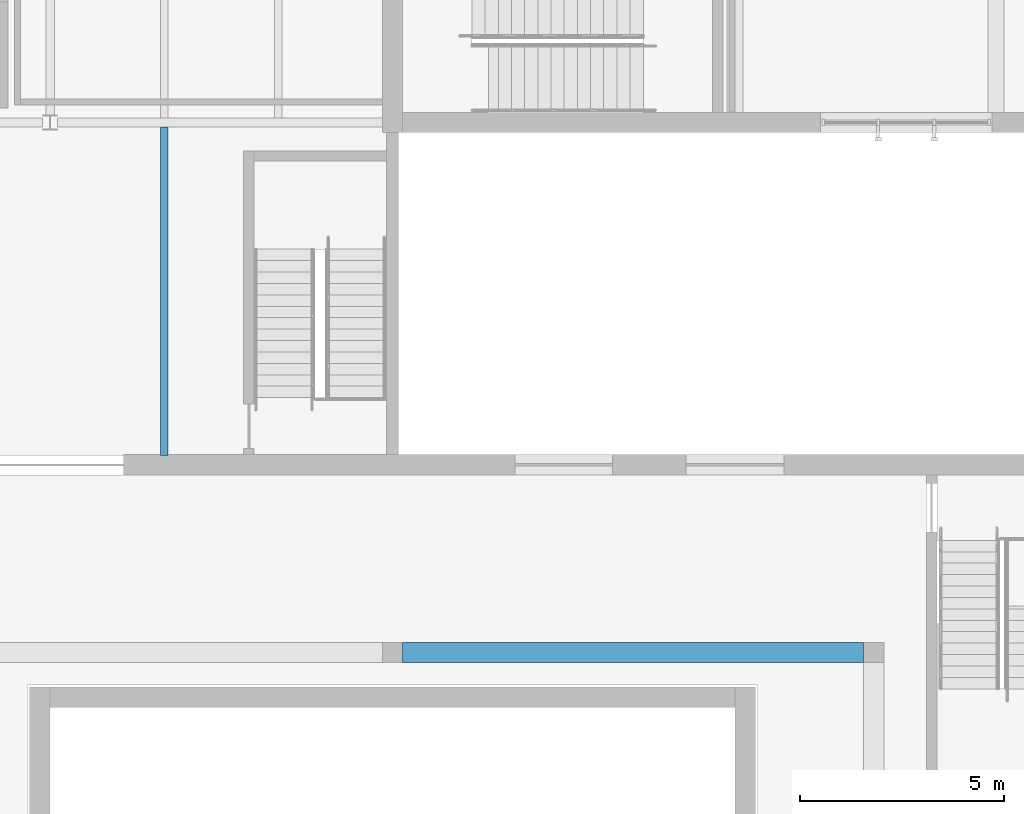
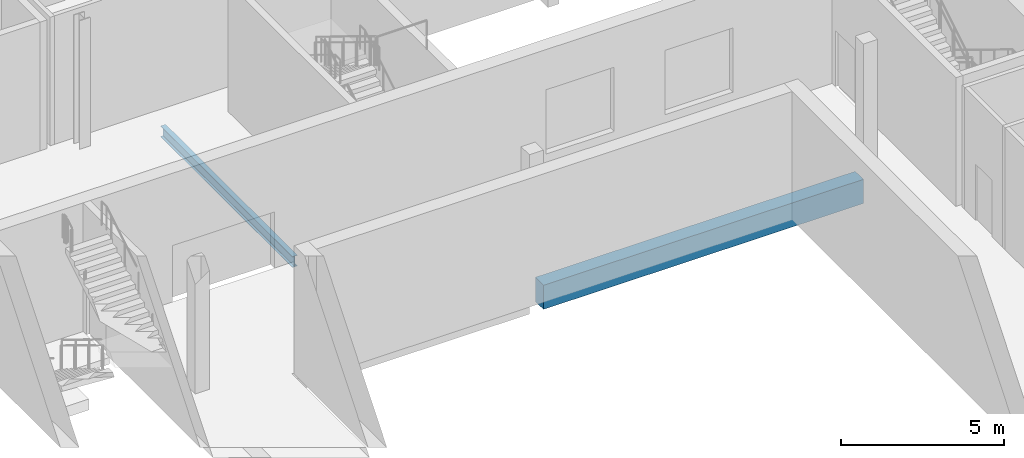
# One storey, part 18 of 127: 2 beams.
"""IFC4 building model written with IfcOpenShell, lengths in metres."""

from ifc_helpers import new_model, si_unit, direction, frame, origin, origin_2d, place, context, subcontext, project, spatial, rectangle, i_section, extrude, material, material_profile, profile_set, type_object, element, save


model = new_model("IFC4")

# Units and contexts
model_context = context("Model", 3, precision=1e-05, world=origin(), true_north=direction((0.0, 1.0)))
body_context = subcontext(model_context, "Body", "Model", "MODEL_VIEW")
ifc_project = project(units=[si_unit("LENGTHUNIT", "METRE"), si_unit("AREAUNIT", "SQUARE_METRE"), si_unit("VOLUMEUNIT", "CUBIC_METRE"), si_unit("PLANEANGLEUNIT", "RADIAN"), si_unit("MASSUNIT", "GRAM", prefix="KILO")], contexts=[model_context])

# Site, building, storey
site_placement = place(None, origin())
site = spatial("IfcSite", under=ifc_project, at=site_placement, CompositionType="ELEMENT")
building_placement = place(site_placement, origin())
building = spatial("IfcBuilding", under=site, at=building_placement, Name="Ljudholm Concert House", CompositionType="ELEMENT")
storey_placement = place(building_placement, frame((0.0, 0.0, 5.39990234375)))
storey = spatial("IfcBuildingStorey", under=building, at=storey_placement, Name="L01", CompositionType="ELEMENT", Elevation=5.39990234375)

# Beams
ifc_material_1 = material(Name="Concrete 6,500 psi", Category="concrete")
ifc_material_profile_1 = material_profile(ifc_material_1, rectangle(XDim=0.5, YDim=0.89990234375, at=origin_2d()), Name="RC BEAM 500x900")
ifc_profile_set_1 = profile_set([ifc_material_profile_1], Name="Concrete 6,500 psi")
beam_type_1 = type_object("IfcBeamType", Name="RC BEAM 500x900", PredefinedType="BEAM", material=ifc_profile_set_1)
beam_1_placement = place(storey_placement, frame((29.449951171875, 41.39990234375, -0.699951171875), z_axis=(1.0, 0.0, 0.0), x_axis=(0.0, 1.0, 0.0)))
element("IfcBeam", 1, at=beam_1_placement, inside=storey, type_object=beam_type_1, Name="Ring beam", PredefinedType="BEAM", context=body_context, shape_type="SweptSolid", body=[
    extrude(rectangle(XDim=0.5, YDim=0.89990234375, at=origin_2d()), origin(), (0.0, 0.0, 1.0), 11.300048828125),
])
ifc_material_2 = material(Name="Steel ASTM A992", Category="steel")
ifc_material_profile_2 = material_profile(ifc_material_2, i_section(OverallWidth=0.177734375, OverallDepth=0.406494140625, WebThickness=0.0078125, FlangeThickness=0.012939453125, FilletRadius=0.01025390625, at=origin_2d()), Name="W16X40")
ifc_profile_set_2 = profile_set([ifc_material_profile_2], Name="Steel ASTM A992")
beam_type_2 = type_object("IfcBeamType", Name="STEEL BEAM W16X40", PredefinedType="BEAM", material=ifc_profile_set_2)
beam_2_placement = place(storey_placement, frame((23.60009765625, 46.22509765625, -0.383056640625), z_axis=(0.0, 1.0, 0.0), x_axis=(-1.0, 0.0, 0.0)))
element("IfcBeam", 2, at=beam_2_placement, inside=storey, type_object=beam_type_2, Name="Secondary beam", PredefinedType="BEAM", context=body_context, shape_type="SweptSolid", body=[
    extrude(i_section(OverallWidth=0.177734375, OverallDepth=0.406494140625, WebThickness=0.0078125, FlangeThickness=0.012939453125, FilletRadius=0.01025390625, at=origin_2d()), origin(), (0.0, 0.0, 1.0), 8.060302734375),
])

save(model, "model.ifc")
